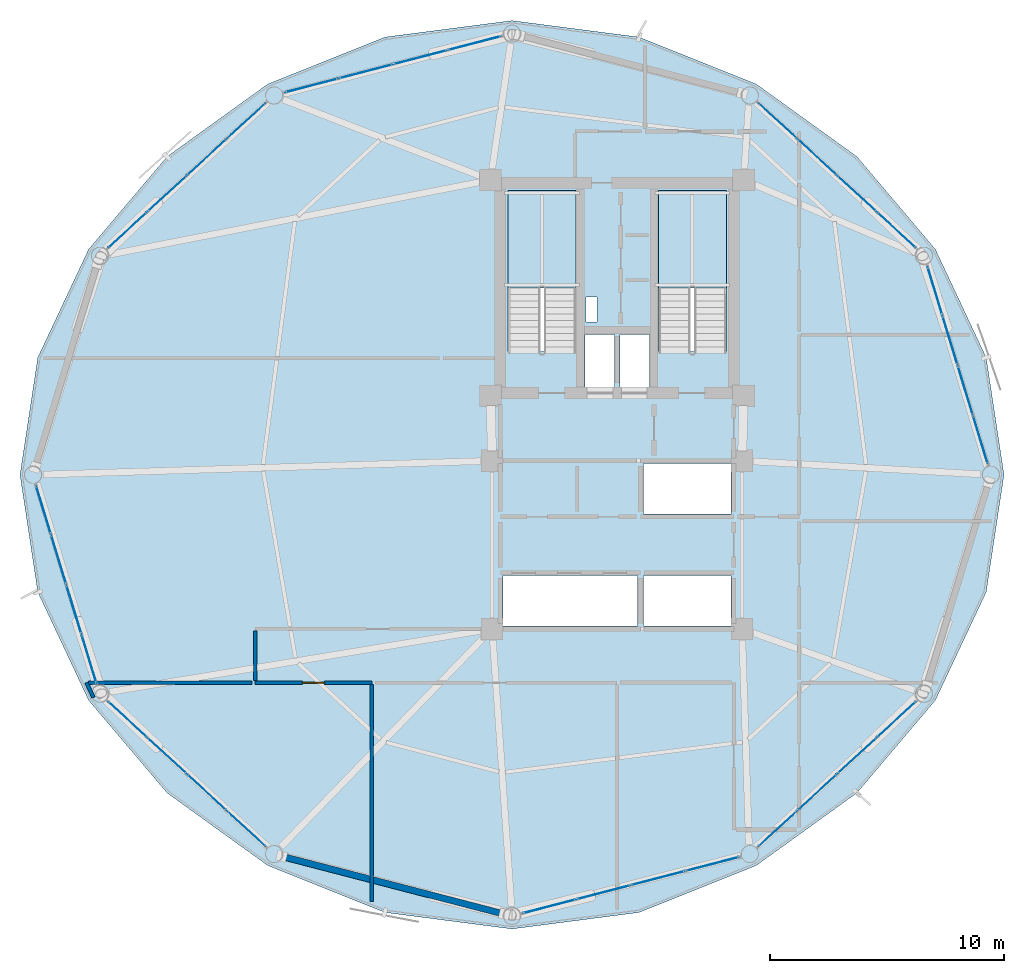
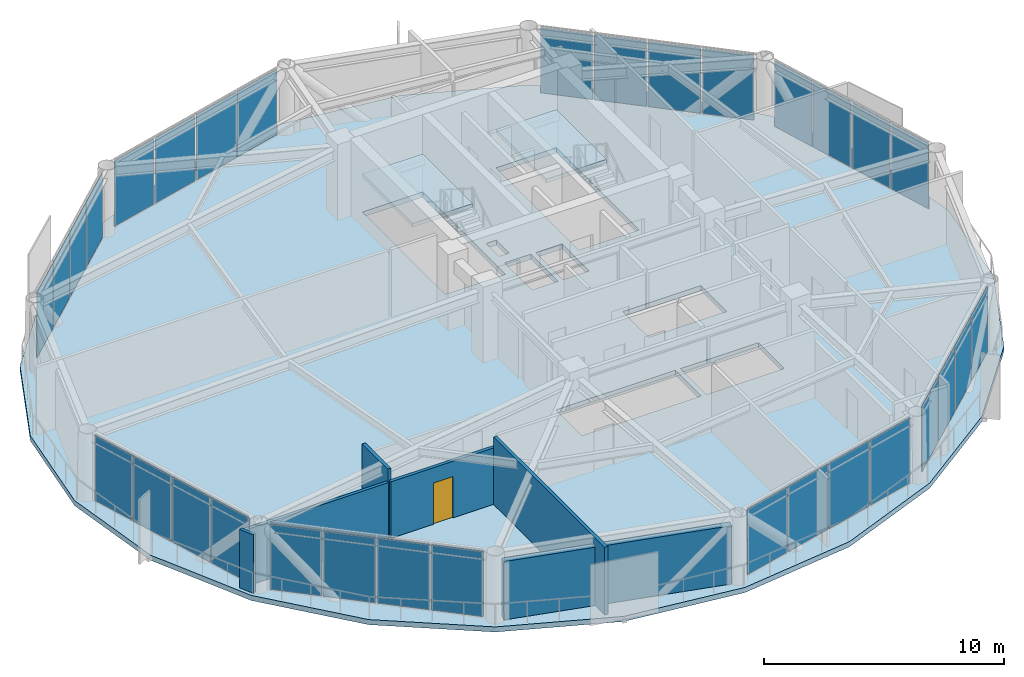
# One storey, part 20 of 26: 32 plates, 6 walls, 3 slabs, 1 door, 1 opening, 10 elements without a shape of their own.
"""IFC4 building model written with IfcOpenShell, lengths in metres."""

from ifc_helpers import new_model, si_unit, direction, frame, frame_2d, origin, origin_2d, place, context, subcontext, project, spatial, polyline, rectangle, outline, extrude, source, transform, mapped, material, layer, layer_set, type_object, type_shapes, element, fill, aggregate, save


model = new_model("IFC4")

# Units and contexts
model_context = context("Model", 3, precision=1e-05, world=origin(), true_north=direction((0.0, 1.0)))
body_context = subcontext(model_context, "Body", "Model", "MODEL_VIEW")
ifc_project = project(units=[si_unit("LENGTHUNIT", "METRE"), si_unit("AREAUNIT", "SQUARE_METRE"), si_unit("VOLUMEUNIT", "CUBIC_METRE"), si_unit("PLANEANGLEUNIT", "RADIAN"), si_unit("MASSUNIT", "GRAM", prefix="KILO")], contexts=[model_context])

# Site, building, storey
site_placement = place(None, origin())
site = spatial("IfcSite", under=ifc_project, at=site_placement, CompositionType="ELEMENT")
building_placement = place(site_placement, origin())
building = spatial("IfcBuilding", under=site, at=building_placement, Name="Varnakorn Sky Granary", CompositionType="ELEMENT")
storey_placement = place(building_placement, frame((0.0, 0.0, 165.60009765625)))
storey = spatial("IfcBuildingStorey", under=building, at=storey_placement, Name="L41", CompositionType="ELEMENT", Elevation=165.60009765625)

# Stair, slab
ifc_material_1 = material(Name="Concrete C40/50", Category="concrete")
stair_type = type_object("IfcStairType", Name="ST-MAIN-ASSEMBLY", PredefinedType="HALF_TURN_STAIR", material=ifc_material_1)
stair_1_placement = place(storey_placement, origin())
stair_1 = element("IfcStair", 1, at=stair_1_placement, inside=storey, type_object=stair_type, Name="L41 Protected Exit Stair ST-1", PredefinedType="HALF_TURN_STAIR")
ifc_layer_1 = layer(ifc_material_1, 0.199951171875, Name="Concrete C40/50")
ifc_layer_set_1 = layer_set([ifc_layer_1], Name="Concrete C40/50")
slab_type_1 = type_object("IfcSlabType", Name="ST-MAIN-LAND", PredefinedType="LANDING", material=ifc_layer_set_1)
slab_1_placement = place(storey_placement, frame((0.0, 0.0, 1.75)))
slab_1 = element("IfcSlab", 2, at=slab_1_placement, type_object=slab_type_1, Name="ST-1 landing 1", PredefinedType="LANDING", context=body_context, shape_type="SweptSolid", body=[
    extrude(outline(polyline([(1.239990234375, 8.0), (1.239990234375, 12.179931640625), (-1.669921875, 12.179931640625), (-1.669921875, 8.0), (1.239990234375, 8.0)])), origin(), (0.0, 0.0, 1.0), 0.199951171875),
])
aggregate(stair_1, [slab_1])

stair_2_placement = place(storey_placement, origin())
stair_2 = element("IfcStair", 3, at=stair_2_placement, inside=storey, type_object=stair_type, Name="L41 Protected Exit Stair ST-2", PredefinedType="HALF_TURN_STAIR")
slab_2_placement = place(storey_placement, frame((0.0, 0.0, 1.75)))
slab_2 = element("IfcSlab", 4, at=slab_2_placement, type_object=slab_type_1, Name="ST-2 landing 1", PredefinedType="LANDING", context=body_context, shape_type="SweptSolid", body=[
    extrude(outline(polyline([(7.679931640625, 8.0), (7.679931640625, 12.179931640625), (4.77001953125, 12.179931640625), (4.77001953125, 8.0), (7.679931640625, 8.0)])), origin(), (0.0, 0.0, 1.0), 0.199951171875),
])
aggregate(stair_2, [slab_2])

# Slab
ifc_material_2 = material(Name="Concrete C50/60", Category="concrete")
ifc_layer_2 = layer(ifc_material_2, 0.260009765625, Name="Concrete C50/60")
ifc_layer_set_2 = layer_set([ifc_layer_2], Name="Concrete C50/60")
slab_type_2 = type_object("IfcSlabType", Name="ST-SL-TWR-260", PredefinedType="FLOOR", material=ifc_layer_set_2)
slab_3_placement = place(storey_placement, frame((0.0, 0.0, -0.260009765625)))
element("IfcSlab", 5, at=slab_3_placement, inside=storey, type_object=slab_type_2, Name="Level L41 Structural Floor Slab", PredefinedType="FLOOR", context=body_context, shape_type="SweptSolid", body=[
    extrude(outline(polyline([(19.56689453125, 0.0), (18.8056640625, 5.02197265625), (16.627685546875, 9.656494140625), (13.269287109375, 13.62451171875), (8.966064453125, 16.7255859375), (3.94091796875, 18.741943359375), (-1.5, 19.447998046875), (-6.94091796875, 18.741943359375), (-11.966064453125, 16.7255859375), (-16.269287109375, 13.62451171875), (-19.627685546875, 9.656494140625), (-21.8056640625, 5.02197265625), (-22.56689453125, 0.0), (-21.8056640625, -5.02197265625), (-19.627685546875, -9.656494140625), (-16.269287109375, -13.62451171875), (-11.966064453125, -16.7255859375), (-6.94091796875, -18.741943359375), (-1.5, -19.447998046875), (3.94091796875, -18.741943359375), (8.966064453125, -16.7255859375), (13.269287109375, -13.62451171875), (16.627685546875, -9.656494140625), (18.8056640625, -5.02197265625), (19.56689453125, 0.0)]), holes=[polyline([(1.239990234375, 5.27490234375), (1.239990234375, 12.179931640625), (-1.669921875, 12.179931640625), (-1.669921875, 5.27490234375), (1.239990234375, 5.27490234375)]), polyline([(7.679931640625, 5.27490234375), (7.679931640625, 12.179931640625), (4.77001953125, 12.179931640625), (4.77001953125, 5.27490234375), (7.679931640625, 5.27490234375)]), polyline([(1.659912109375, 6.550048828125), (2.14990234375, 6.550048828125), (2.14990234375, 7.6201171875), (1.659912109375, 7.6201171875), (1.659912109375, 6.550048828125)]), polyline([(1.6201171875, 3.739990234375), (2.8798828125, 3.739990234375), (2.8798828125, 6.010009765625), (1.6201171875, 6.010009765625), (1.6201171875, 3.739990234375)]), polyline([(3.1201171875, 3.739990234375), (4.3798828125, 3.739990234375), (4.3798828125, 6.010009765625), (3.1201171875, 6.010009765625), (3.1201171875, 3.739990234375)]), polyline([(4.1201171875, -1.679931640625), (7.8798828125, -1.679931640625), (7.8798828125, 0.47998046875), (4.1201171875, 0.47998046875), (4.1201171875, -1.679931640625)]), polyline([(-1.8798828125, -6.47998046875), (3.8798828125, -6.47998046875), (3.8798828125, -4.320068359375), (-1.8798828125, -4.320068359375), (-1.8798828125, -6.47998046875)]), polyline([(4.1201171875, -6.47998046875), (7.8798828125, -6.47998046875), (7.8798828125, -4.320068359375), (4.1201171875, -4.320068359375), (4.1201171875, -6.47998046875)])]), origin(), (0.0, 0.0, 1.0), 0.260009765625),
])

# Curtain wall, plates
ifc_material_3 = material(Name="Anodised Bronze Aluminium Alloy 6063-T6", Category="aluminium")
ifc_layer_3 = layer(ifc_material_3, 0.179931640625, Name="Anodised Bronze Aluminium Alloy 6063-T6")
ifc_layer_set_3 = layer_set([ifc_layer_3], Name="Anodised Bronze Aluminium Alloy 6063-T6")
curtain_wall_type = type_object("IfcCurtainWallType", Name="CW-FRM-2", PredefinedType="USERDEFINED", material=ifc_layer_set_3)
curtain_wall_1_placement = place(storey_placement, origin())
curtain_wall_1 = element("IfcCurtainWall", 6, at=curtain_wall_1_placement, inside=storey, type_object=curtain_wall_type, Name="Unitised Curtain Wall CW4 CW-L41-B01", ObjectType="CURTAIN WALL", PredefinedType="USERDEFINED")
ifc_material_4 = material(Name="Opaque Insulated Aluminium Shadow-Box Unit", Category="aluminium")
ifc_layer_4 = layer(ifc_material_4, 0.02587890625, Name="Opaque Insulated Aluminium Shadow-Box Unit")
ifc_layer_set_4 = layer_set([ifc_layer_4], Name="Opaque Insulated Aluminium Shadow-Box Unit")
plate_type = type_object("IfcPlateType", Name="CW-FRM-2-PNL", PredefinedType="CURTAIN_PANEL")
shared_shape_1 = source(origin(), body_context, "Body", "SweptSolid", [
    extrude(rectangle(XDim=2.126953125, YDim=0.02587890625, at=origin_2d()), origin(), (0.0, 0.0, 1.0), 3.320068359375),
])
plate_1_placement = place(storey_placement, frame((16.611328125, 7.875732421875, 0.06494140625), z_axis=(0.0, 0.0, 1.0), x_axis=(0.292146535238, -0.956373568198, 0.0)))
plate_1 = element("IfcPlate", 7, at=plate_1_placement, type_object=plate_type, material=ifc_layer_set_4, Name="CW4 opaque insulated shadow-box unit 1.1", PredefinedType="CURTAIN_PANEL", context=body_context, shape_type="MappedRepresentation", body=[
    mapped(shared_shape_1, transform((0.0, 0.0, 0.0), x_axis=(1.0, 0.0, 0.0), y_axis=(0.0, 1.0, 0.0), z_axis=(0.0, 0.0, 1.0), scale=1.0)),
])
ifc_material_5 = material(Name="Low-E Tinted Laminated Glass", Category="glass")
ifc_layer_5 = layer(ifc_material_5, 0.02587890625, Name="Low-E Tinted Laminated Glass")
ifc_layer_set_5 = layer_set([ifc_layer_5], Name="Low-E Tinted Laminated Glass")
plate_2_placement = place(storey_placement, frame((18.55712890625, 1.505859375, 0.06494140625), z_axis=(0.0, 0.0, 1.0), x_axis=(0.292146535238, -0.956373568198, 0.0)))
plate_2 = element("IfcPlate", 8, at=plate_2_placement, type_object=plate_type, material=ifc_layer_set_5, Name="CW4 vision glazing unit 4.1", PredefinedType="CURTAIN_PANEL", context=body_context, shape_type="MappedRepresentation", body=[
    mapped(shared_shape_1, transform((0.0, 0.0, 0.0), x_axis=(1.0, 0.0, 0.0), y_axis=(0.0, 1.0, 0.0), z_axis=(0.0, 0.0, 1.0), scale=1.0)),
])

curtain_wall_2_placement = place(storey_placement, origin())
curtain_wall_2 = element("IfcCurtainWall", 9, at=curtain_wall_2_placement, inside=storey, type_object=curtain_wall_type, Name="Unitised Curtain Wall CW4 CW-L41-B07", ObjectType="CURTAIN WALL", PredefinedType="USERDEFINED")
plate_3_placement = place(storey_placement, frame((-19.611328125, -7.875732421875, 0.06494140625), z_axis=(0.0, 0.0, 1.0), x_axis=(-0.292146535238, 0.956373568198, 0.0)))
plate_3 = element("IfcPlate", 10, at=plate_3_placement, type_object=plate_type, material=ifc_layer_set_4, Name="CW4 opaque insulated shadow-box unit 1.1", PredefinedType="CURTAIN_PANEL", context=body_context, shape_type="MappedRepresentation", body=[
    mapped(shared_shape_1, transform((0.0, 0.0, 0.0), x_axis=(1.0, 0.0, 0.0), y_axis=(0.0, 1.0, 0.0), z_axis=(0.0, 0.0, 1.0), scale=1.0)),
])
plate_4_placement = place(storey_placement, frame((-21.55712890625, -1.505859375, 0.06494140625), z_axis=(0.0, 0.0, 1.0), x_axis=(-0.292146535238, 0.956373568198, 0.0)))
plate_4 = element("IfcPlate", 11, at=plate_4_placement, type_object=plate_type, material=ifc_layer_set_5, Name="CW4 vision glazing unit 4.1", PredefinedType="CURTAIN_PANEL", context=body_context, shape_type="MappedRepresentation", body=[
    mapped(shared_shape_1, transform((0.0, 0.0, 0.0), x_axis=(1.0, 0.0, 0.0), y_axis=(0.0, 1.0, 0.0), z_axis=(0.0, 0.0, 1.0), scale=1.0)),
])

# Plate
shared_shape_2 = source(origin(), body_context, "Body", "SweptSolid", [
    extrude(rectangle(XDim=2.161865234375, YDim=0.02587890625, at=origin_2d()), origin(), (0.0, 0.0, 1.0), 3.320068359375),
])
plate_5_placement = place(storey_placement, frame((17.258056640625, 5.758056640625, 0.06494140625), z_axis=(0.0, 0.0, 1.0), x_axis=(0.292146535238, -0.956373568198, 0.0)))
plate_5 = element("IfcPlate", 12, at=plate_5_placement, type_object=plate_type, material=ifc_layer_set_4, Name="CW4 opaque insulated shadow-box unit 2.1", PredefinedType="CURTAIN_PANEL", context=body_context, shape_type="MappedRepresentation", body=[
    mapped(shared_shape_2, transform((0.0, 0.0, 0.0), x_axis=(1.0, 0.0, 0.0), y_axis=(0.0, 1.0, 0.0), z_axis=(0.0, 0.0, 1.0), scale=1.0)),
])

plate_6_placement = place(storey_placement, frame((17.91015625, 3.62353515625, 0.06494140625), z_axis=(0.0, 0.0, 1.0), x_axis=(0.292146535238, -0.956373568198, 0.0)))
plate_6 = element("IfcPlate", 13, at=plate_6_placement, type_object=plate_type, material=ifc_layer_set_5, Name="CW4 vision glazing unit 3.1", PredefinedType="CURTAIN_PANEL", context=body_context, shape_type="MappedRepresentation", body=[
    mapped(shared_shape_2, transform((0.0, 0.0, 0.0), x_axis=(1.0, 0.0, 0.0), y_axis=(0.0, 1.0, 0.0), z_axis=(0.0, 0.0, 1.0), scale=1.0)),
])

aggregate(curtain_wall_1, [plate_1, plate_5, plate_6, plate_2])

plate_7_placement = place(storey_placement, frame((-20.258056640625, -5.758056640625, 0.06494140625), z_axis=(0.0, 0.0, 1.0), x_axis=(-0.292146535238, 0.956373568198, 0.0)))
plate_7 = element("IfcPlate", 14, at=plate_7_placement, type_object=plate_type, material=ifc_layer_set_4, Name="CW4 opaque insulated shadow-box unit 2.1", PredefinedType="CURTAIN_PANEL", context=body_context, shape_type="MappedRepresentation", body=[
    mapped(shared_shape_2, transform((0.0, 0.0, 0.0), x_axis=(1.0, 0.0, 0.0), y_axis=(0.0, 1.0, 0.0), z_axis=(0.0, 0.0, 1.0), scale=1.0)),
])

plate_8_placement = place(storey_placement, frame((-20.91015625, -3.62353515625, 0.06494140625), z_axis=(0.0, 0.0, 1.0), x_axis=(-0.292146535238, 0.956373568198, 0.0)))
plate_8 = element("IfcPlate", 15, at=plate_8_placement, type_object=plate_type, material=ifc_layer_set_5, Name="CW4 vision glazing unit 3.1", PredefinedType="CURTAIN_PANEL", context=body_context, shape_type="MappedRepresentation", body=[
    mapped(shared_shape_2, transform((0.0, 0.0, 0.0), x_axis=(1.0, 0.0, 0.0), y_axis=(0.0, 1.0, 0.0), z_axis=(0.0, 0.0, 1.0), scale=1.0)),
])

aggregate(curtain_wall_2, [plate_3, plate_7, plate_8, plate_4])

# Curtain wall, plates
curtain_wall_3_placement = place(storey_placement, origin())
curtain_wall_3 = element("IfcCurtainWall", 16, at=curtain_wall_3_placement, inside=storey, type_object=curtain_wall_type, Name="Unitised Curtain Wall CW4 CW-L41-B02", ObjectType="CURTAIN WALL", PredefinedType="USERDEFINED")
shared_shape_3 = source(origin(), body_context, "Body", "SweptSolid", [
    extrude(rectangle(XDim=2.20947265625, YDim=0.02587890625, at=origin_2d()), origin(), (0.0, 0.0, 1.0), 3.320068359375),
])
plate_9_placement = place(storey_placement, frame((9.8798828125, 15.15478515625, 0.06494140625), z_axis=(0.0, 0.0, 1.0), x_axis=(0.735720862359, -0.677284882962, 0.0)))
plate_9 = element("IfcPlate", 17, at=plate_9_placement, type_object=plate_type, material=ifc_layer_set_5, Name="CW4 vision glazing unit 1.1", PredefinedType="CURTAIN_PANEL", context=body_context, shape_type="MappedRepresentation", body=[
    mapped(shared_shape_3, transform((0.0, 0.0, 0.0), x_axis=(1.0, 0.0, 0.0), y_axis=(0.0, 1.0, 0.0), z_axis=(0.0, 0.0, 1.0), scale=1.0)),
])
plate_10_placement = place(storey_placement, frame((14.96240234375, 10.475830078125, 0.06494140625), z_axis=(0.0, 0.0, 1.0), x_axis=(0.735720862359, -0.677284882962, 0.0)))
plate_10 = element("IfcPlate", 18, at=plate_10_placement, type_object=plate_type, material=ifc_layer_set_4, Name="CW4 opaque insulated shadow-box unit 4.1", PredefinedType="CURTAIN_PANEL", context=body_context, shape_type="MappedRepresentation", body=[
    mapped(shared_shape_3, transform((0.0, 0.0, 0.0), x_axis=(1.0, 0.0, 0.0), y_axis=(0.0, 1.0, 0.0), z_axis=(0.0, 0.0, 1.0), scale=1.0)),
])

curtain_wall_4_placement = place(storey_placement, origin())
curtain_wall_4 = element("IfcCurtainWall", 19, at=curtain_wall_4_placement, inside=storey, type_object=curtain_wall_type, Name="Unitised Curtain Wall CW4 CW-L41-B05", ObjectType="CURTAIN WALL", PredefinedType="USERDEFINED")
plate_11_placement = place(storey_placement, frame((-17.96240234375, 10.475830078125, 0.06494140625), z_axis=(0.0, 0.0, 1.0), x_axis=(0.735720862359, 0.677284882962, 0.0)))
plate_11 = element("IfcPlate", 20, at=plate_11_placement, type_object=plate_type, material=ifc_layer_set_4, Name="CW4 opaque insulated shadow-box unit 1.1", PredefinedType="CURTAIN_PANEL", context=body_context, shape_type="MappedRepresentation", body=[
    mapped(shared_shape_3, transform((0.0, 0.0, 0.0), x_axis=(1.0, 0.0, 0.0), y_axis=(0.0, 1.0, 0.0), z_axis=(0.0, 0.0, 1.0), scale=1.0)),
])
plate_12_placement = place(storey_placement, frame((-12.8798828125, 15.15478515625, 0.06494140625), z_axis=(0.0, 0.0, 1.0), x_axis=(0.735720862359, 0.677284882962, 0.0)))
plate_12 = element("IfcPlate", 21, at=plate_12_placement, type_object=plate_type, material=ifc_layer_set_5, Name="CW4 vision glazing unit 4.1", PredefinedType="CURTAIN_PANEL", context=body_context, shape_type="MappedRepresentation", body=[
    mapped(shared_shape_3, transform((0.0, 0.0, 0.0), x_axis=(1.0, 0.0, 0.0), y_axis=(0.0, 1.0, 0.0), z_axis=(0.0, 0.0, 1.0), scale=1.0)),
])

curtain_wall_5_placement = place(storey_placement, origin())
curtain_wall_5 = element("IfcCurtainWall", 22, at=curtain_wall_5_placement, inside=storey, type_object=curtain_wall_type, Name="Unitised Curtain Wall CW4 CW-L41-B08", ObjectType="CURTAIN WALL", PredefinedType="USERDEFINED")
plate_13_placement = place(storey_placement, frame((-12.8798828125, -15.15478515625, 0.06494140625), z_axis=(0.0, 0.0, 1.0), x_axis=(-0.735720862359, 0.677284882962, 0.0)))
plate_13 = element("IfcPlate", 23, at=plate_13_placement, type_object=plate_type, material=ifc_layer_set_5, Name="CW4 vision glazing unit 1.1", PredefinedType="CURTAIN_PANEL", context=body_context, shape_type="MappedRepresentation", body=[
    mapped(shared_shape_3, transform((0.0, 0.0, 0.0), x_axis=(1.0, 0.0, 0.0), y_axis=(0.0, 1.0, 0.0), z_axis=(0.0, 0.0, 1.0), scale=1.0)),
])
plate_14_placement = place(storey_placement, frame((-17.96240234375, -10.475830078125, 0.06494140625), z_axis=(0.0, 0.0, 1.0), x_axis=(-0.735720862359, 0.677284882962, 0.0)))
plate_14 = element("IfcPlate", 24, at=plate_14_placement, type_object=plate_type, material=ifc_layer_set_4, Name="CW4 opaque insulated shadow-box unit 4.1", PredefinedType="CURTAIN_PANEL", context=body_context, shape_type="MappedRepresentation", body=[
    mapped(shared_shape_3, transform((0.0, 0.0, 0.0), x_axis=(1.0, 0.0, 0.0), y_axis=(0.0, 1.0, 0.0), z_axis=(0.0, 0.0, 1.0), scale=1.0)),
])

curtain_wall_6_placement = place(storey_placement, origin())
curtain_wall_6 = element("IfcCurtainWall", 25, at=curtain_wall_6_placement, inside=storey, type_object=curtain_wall_type, Name="Unitised Curtain Wall CW4 CW-L41-B11", ObjectType="CURTAIN WALL", PredefinedType="USERDEFINED")
plate_15_placement = place(storey_placement, frame((14.96240234375, -10.475830078125, 0.06494140625), z_axis=(0.0, 0.0, 1.0), x_axis=(-0.735720862359, -0.677284882962, 0.0)))
plate_15 = element("IfcPlate", 26, at=plate_15_placement, type_object=plate_type, material=ifc_layer_set_4, Name="CW4 opaque insulated shadow-box unit 1.1", PredefinedType="CURTAIN_PANEL", context=body_context, shape_type="MappedRepresentation", body=[
    mapped(shared_shape_3, transform((0.0, 0.0, 0.0), x_axis=(1.0, 0.0, 0.0), y_axis=(0.0, 1.0, 0.0), z_axis=(0.0, 0.0, 1.0), scale=1.0)),
])
plate_16_placement = place(storey_placement, frame((9.8798828125, -15.15478515625, 0.06494140625), z_axis=(0.0, 0.0, 1.0), x_axis=(-0.735720862359, -0.677284882962, 0.0)))
plate_16 = element("IfcPlate", 27, at=plate_16_placement, type_object=plate_type, material=ifc_layer_set_5, Name="CW4 vision glazing unit 4.1", PredefinedType="CURTAIN_PANEL", context=body_context, shape_type="MappedRepresentation", body=[
    mapped(shared_shape_3, transform((0.0, 0.0, 0.0), x_axis=(1.0, 0.0, 0.0), y_axis=(0.0, 1.0, 0.0), z_axis=(0.0, 0.0, 1.0), scale=1.0)),
])

# Plate
shared_shape_4 = source(origin(), body_context, "Body", "SweptSolid", [
    extrude(rectangle(XDim=2.244384765625, YDim=0.02587890625, at=origin_2d()), origin(), (0.0, 0.0, 1.0), 3.320068359375),
])
plate_17_placement = place(storey_placement, frame((11.56982421875, 13.59912109375, 0.06494140625), z_axis=(0.0, 0.0, 1.0), x_axis=(0.735720862359, -0.677284882962, 0.0)))
plate_17 = element("IfcPlate", 28, at=plate_17_placement, type_object=plate_type, material=ifc_layer_set_5, Name="CW4 vision glazing unit 2.1", PredefinedType="CURTAIN_PANEL", context=body_context, shape_type="MappedRepresentation", body=[
    mapped(shared_shape_4, transform((0.0, 0.0, 0.0), x_axis=(1.0, 0.0, 0.0), y_axis=(0.0, 1.0, 0.0), z_axis=(0.0, 0.0, 1.0), scale=1.0)),
])

plate_18_placement = place(storey_placement, frame((13.2724609375, 12.031494140625, 0.06494140625), z_axis=(0.0, 0.0, 1.0), x_axis=(0.735720862359, -0.677284882962, 0.0)))
plate_18 = element("IfcPlate", 29, at=plate_18_placement, type_object=plate_type, material=ifc_layer_set_4, Name="CW4 opaque insulated shadow-box unit 3.1", PredefinedType="CURTAIN_PANEL", context=body_context, shape_type="MappedRepresentation", body=[
    mapped(shared_shape_4, transform((0.0, 0.0, 0.0), x_axis=(1.0, 0.0, 0.0), y_axis=(0.0, 1.0, 0.0), z_axis=(0.0, 0.0, 1.0), scale=1.0)),
])

aggregate(curtain_wall_3, [plate_9, plate_17, plate_18, plate_10])

plate_19_placement = place(storey_placement, frame((-16.2724609375, 12.031494140625, 0.06494140625), z_axis=(0.0, 0.0, 1.0), x_axis=(0.735720862359, 0.677284882962, 0.0)))
plate_19 = element("IfcPlate", 30, at=plate_19_placement, type_object=plate_type, material=ifc_layer_set_4, Name="CW4 opaque insulated shadow-box unit 2.1", PredefinedType="CURTAIN_PANEL", context=body_context, shape_type="MappedRepresentation", body=[
    mapped(shared_shape_4, transform((0.0, 0.0, 0.0), x_axis=(1.0, 0.0, 0.0), y_axis=(0.0, 1.0, 0.0), z_axis=(0.0, 0.0, 1.0), scale=1.0)),
])

plate_20_placement = place(storey_placement, frame((-14.56982421875, 13.59912109375, 0.06494140625), z_axis=(0.0, 0.0, 1.0), x_axis=(0.735720862359, 0.677284882962, 0.0)))
plate_20 = element("IfcPlate", 31, at=plate_20_placement, type_object=plate_type, material=ifc_layer_set_5, Name="CW4 vision glazing unit 3.1", PredefinedType="CURTAIN_PANEL", context=body_context, shape_type="MappedRepresentation", body=[
    mapped(shared_shape_4, transform((0.0, 0.0, 0.0), x_axis=(1.0, 0.0, 0.0), y_axis=(0.0, 1.0, 0.0), z_axis=(0.0, 0.0, 1.0), scale=1.0)),
])

aggregate(curtain_wall_4, [plate_11, plate_19, plate_20, plate_12])

plate_21_placement = place(storey_placement, frame((-14.56982421875, -13.59912109375, 0.06494140625), z_axis=(0.0, 0.0, 1.0), x_axis=(-0.735720862359, 0.677284882962, 0.0)))
plate_21 = element("IfcPlate", 32, at=plate_21_placement, type_object=plate_type, material=ifc_layer_set_5, Name="CW4 vision glazing unit 2.1", PredefinedType="CURTAIN_PANEL", context=body_context, shape_type="MappedRepresentation", body=[
    mapped(shared_shape_4, transform((0.0, 0.0, 0.0), x_axis=(1.0, 0.0, 0.0), y_axis=(0.0, 1.0, 0.0), z_axis=(0.0, 0.0, 1.0), scale=1.0)),
])

plate_22_placement = place(storey_placement, frame((-16.2724609375, -12.031494140625, 0.06494140625), z_axis=(0.0, 0.0, 1.0), x_axis=(-0.735720862359, 0.677284882962, 0.0)))
plate_22 = element("IfcPlate", 33, at=plate_22_placement, type_object=plate_type, material=ifc_layer_set_4, Name="CW4 opaque insulated shadow-box unit 3.1", PredefinedType="CURTAIN_PANEL", context=body_context, shape_type="MappedRepresentation", body=[
    mapped(shared_shape_4, transform((0.0, 0.0, 0.0), x_axis=(1.0, 0.0, 0.0), y_axis=(0.0, 1.0, 0.0), z_axis=(0.0, 0.0, 1.0), scale=1.0)),
])

aggregate(curtain_wall_5, [plate_13, plate_21, plate_22, plate_14])

plate_23_placement = place(storey_placement, frame((13.2724609375, -12.031494140625, 0.06494140625), z_axis=(0.0, 0.0, 1.0), x_axis=(-0.735720862359, -0.677284882962, 0.0)))
plate_23 = element("IfcPlate", 34, at=plate_23_placement, type_object=plate_type, material=ifc_layer_set_4, Name="CW4 opaque insulated shadow-box unit 2.1", PredefinedType="CURTAIN_PANEL", context=body_context, shape_type="MappedRepresentation", body=[
    mapped(shared_shape_4, transform((0.0, 0.0, 0.0), x_axis=(1.0, 0.0, 0.0), y_axis=(0.0, 1.0, 0.0), z_axis=(0.0, 0.0, 1.0), scale=1.0)),
])

plate_24_placement = place(storey_placement, frame((11.56982421875, -13.59912109375, 0.06494140625), z_axis=(0.0, 0.0, 1.0), x_axis=(-0.735720862359, -0.677284882962, 0.0)))
plate_24 = element("IfcPlate", 35, at=plate_24_placement, type_object=plate_type, material=ifc_layer_set_5, Name="CW4 vision glazing unit 3.1", PredefinedType="CURTAIN_PANEL", context=body_context, shape_type="MappedRepresentation", body=[
    mapped(shared_shape_4, transform((0.0, 0.0, 0.0), x_axis=(1.0, 0.0, 0.0), y_axis=(0.0, 1.0, 0.0), z_axis=(0.0, 0.0, 1.0), scale=1.0)),
])

aggregate(curtain_wall_6, [plate_15, plate_23, plate_24, plate_16])

# Curtain wall, plates
curtain_wall_7_placement = place(storey_placement, origin())
curtain_wall_7 = element("IfcCurtainWall", 36, at=curtain_wall_7_placement, inside=storey, type_object=curtain_wall_type, Name="Unitised Curtain Wall CW4 CW-L41-B04", ObjectType="CURTAIN WALL", PredefinedType="USERDEFINED")
shared_shape_5 = source(origin(), body_context, "Body", "SweptSolid", [
    extrude(rectangle(XDim=2.306884765625, YDim=0.02587890625, at=origin_2d()), origin(), (0.0, 0.0, 1.0), 3.320068359375),
])
plate_25_placement = place(storey_placement, frame((-10.080078125, 16.66796875, 0.06494140625), z_axis=(0.0, 0.0, 1.0), x_axis=(0.967840780242, 0.251563558768, 0.0)))
plate_25 = element("IfcPlate", 37, at=plate_25_placement, type_object=plate_type, material=ifc_layer_set_5, Name="CW4 vision glazing unit 1.1", PredefinedType="CURTAIN_PANEL", context=body_context, shape_type="MappedRepresentation", body=[
    mapped(shared_shape_5, transform((0.0, 0.0, 0.0), x_axis=(1.0, 0.0, 0.0), y_axis=(0.0, 1.0, 0.0), z_axis=(0.0, 0.0, 1.0), scale=1.0)),
])
plate_26_placement = place(storey_placement, frame((-3.11083984375, 18.479248046875, 0.06494140625), z_axis=(0.0, 0.0, 1.0), x_axis=(0.967840780242, 0.251563558768, 0.0)))
plate_26 = element("IfcPlate", 38, at=plate_26_placement, type_object=plate_type, material=ifc_layer_set_4, Name="CW4 opaque insulated shadow-box unit 4.1", PredefinedType="CURTAIN_PANEL", context=body_context, shape_type="MappedRepresentation", body=[
    mapped(shared_shape_5, transform((0.0, 0.0, 0.0), x_axis=(1.0, 0.0, 0.0), y_axis=(0.0, 1.0, 0.0), z_axis=(0.0, 0.0, 1.0), scale=1.0)),
])

curtain_wall_8_placement = place(storey_placement, origin())
curtain_wall_8 = element("IfcCurtainWall", 39, at=curtain_wall_8_placement, inside=storey, type_object=curtain_wall_type, Name="Unitised Curtain Wall CW4 CW-L41-B10", ObjectType="CURTAIN WALL", PredefinedType="USERDEFINED")
plate_27_placement = place(storey_placement, frame((7.080078125, -16.66796875, 0.06494140625), z_axis=(0.0, 0.0, 1.0), x_axis=(-0.967840780242, -0.251563558768, 0.0)))
plate_27 = element("IfcPlate", 40, at=plate_27_placement, type_object=plate_type, material=ifc_layer_set_5, Name="CW4 vision glazing unit 1.1", PredefinedType="CURTAIN_PANEL", context=body_context, shape_type="MappedRepresentation", body=[
    mapped(shared_shape_5, transform((0.0, 0.0, 0.0), x_axis=(1.0, 0.0, 0.0), y_axis=(0.0, 1.0, 0.0), z_axis=(0.0, 0.0, 1.0), scale=1.0)),
])
plate_28_placement = place(storey_placement, frame((0.11083984375, -18.479248046875, 0.06494140625), z_axis=(0.0, 0.0, 1.0), x_axis=(-0.967840780242, -0.251563558768, 0.0)))
plate_28 = element("IfcPlate", 41, at=plate_28_placement, type_object=plate_type, material=ifc_layer_set_4, Name="CW4 opaque insulated shadow-box unit 4.1", PredefinedType="CURTAIN_PANEL", context=body_context, shape_type="MappedRepresentation", body=[
    mapped(shared_shape_5, transform((0.0, 0.0, 0.0), x_axis=(1.0, 0.0, 0.0), y_axis=(0.0, 1.0, 0.0), z_axis=(0.0, 0.0, 1.0), scale=1.0)),
])

# Plate
shared_shape_6 = source(origin(), body_context, "Body", "SweptSolid", [
    extrude(rectangle(XDim=2.341796875, YDim=0.02587890625, at=origin_2d()), origin(), (0.0, 0.0, 1.0), 3.320068359375),
])
type_shapes(plate_type, [shared_shape_1, shared_shape_2, shared_shape_3, shared_shape_4, shared_shape_5, shared_shape_6])
plate_29_placement = place(storey_placement, frame((-7.7626953125, 17.270263671875, 0.06494140625), z_axis=(0.0, 0.0, 1.0), x_axis=(0.967840780242, 0.251563558768, 0.0)))
plate_29 = element("IfcPlate", 42, at=plate_29_placement, type_object=plate_type, material=ifc_layer_set_5, Name="CW4 vision glazing unit 2.1", PredefinedType="CURTAIN_PANEL", context=body_context, shape_type="MappedRepresentation", body=[
    mapped(shared_shape_6, transform((0.0, 0.0, 0.0), x_axis=(1.0, 0.0, 0.0), y_axis=(0.0, 1.0, 0.0), z_axis=(0.0, 0.0, 1.0), scale=1.0)),
])

plate_30_placement = place(storey_placement, frame((-5.42822265625, 17.876953125, 0.06494140625), z_axis=(0.0, 0.0, 1.0), x_axis=(0.967840780242, 0.251563558768, 0.0)))
plate_30 = element("IfcPlate", 43, at=plate_30_placement, type_object=plate_type, material=ifc_layer_set_4, Name="CW4 opaque insulated shadow-box unit 3.1", PredefinedType="CURTAIN_PANEL", context=body_context, shape_type="MappedRepresentation", body=[
    mapped(shared_shape_6, transform((0.0, 0.0, 0.0), x_axis=(1.0, 0.0, 0.0), y_axis=(0.0, 1.0, 0.0), z_axis=(0.0, 0.0, 1.0), scale=1.0)),
])

aggregate(curtain_wall_7, [plate_25, plate_29, plate_30, plate_26])

plate_31_placement = place(storey_placement, frame((4.7626953125, -17.270263671875, 0.06494140625), z_axis=(0.0, 0.0, 1.0), x_axis=(-0.967840780242, -0.251563558768, 0.0)))
plate_31 = element("IfcPlate", 44, at=plate_31_placement, type_object=plate_type, material=ifc_layer_set_5, Name="CW4 vision glazing unit 2.1", PredefinedType="CURTAIN_PANEL", context=body_context, shape_type="MappedRepresentation", body=[
    mapped(shared_shape_6, transform((0.0, 0.0, 0.0), x_axis=(1.0, 0.0, 0.0), y_axis=(0.0, 1.0, 0.0), z_axis=(0.0, 0.0, 1.0), scale=1.0)),
])

plate_32_placement = place(storey_placement, frame((2.42822265625, -17.876953125, 0.06494140625), z_axis=(0.0, 0.0, 1.0), x_axis=(-0.967840780242, -0.251563558768, 0.0)))
plate_32 = element("IfcPlate", 45, at=plate_32_placement, type_object=plate_type, material=ifc_layer_set_4, Name="CW4 opaque insulated shadow-box unit 3.1", PredefinedType="CURTAIN_PANEL", context=body_context, shape_type="MappedRepresentation", body=[
    mapped(shared_shape_6, transform((0.0, 0.0, 0.0), x_axis=(1.0, 0.0, 0.0), y_axis=(0.0, 1.0, 0.0), z_axis=(0.0, 0.0, 1.0), scale=1.0)),
])

aggregate(curtain_wall_8, [plate_27, plate_31, plate_32, plate_28])

# Wall
ifc_material_6 = material(Name="Precast concrete C40/50", Category="concrete")
ifc_layer_6 = layer(ifc_material_6, 0.280029296875, Name="Precast concrete C40/50")
ifc_layer_set_6 = layer_set([ifc_layer_6], Name="Precast concrete C40/50")
wall_type_1 = type_object("IfcWallType", Name="WT-EW-CRN-280", PredefinedType="SOLIDWALL", material=ifc_layer_set_6)
wall_1_placement = place(storey_placement, frame((-1.8251953125, -18.8134765625, 0.0), z_axis=(0.0, 0.0, 1.0), x_axis=(-0.967842287651, 0.251557759242, 0.0)))
element("IfcWall", 46, at=wall_1_placement, inside=storey, type_object=wall_type_1, Name="Agritech Insulated Precast Facade Wall L41-P09", PredefinedType="SOLIDWALL", context=body_context, shape_type="SweptSolid", body=[
    extrude(rectangle(XDim=9.857421875, YDim=0.280029296875, at=frame_2d((4.9287109375, 0.0))), origin(), (0.0, 0.0, 1.0), 2.969970703125),
])

# Wall, opening, door
ifc_material_7 = material(Name="Gypsum Plasterboard on Steel Stud", Category="steel")
ifc_layer_7 = layer(ifc_material_7, 0.14990234375, Name="Gypsum Plasterboard on Steel Stud")
ifc_layer_set_7 = layer_set([ifc_layer_7], Name="Gypsum Plasterboard on Steel Stud")
wall_type_2 = type_object("IfcWallType", Name="WT-PART-150", PredefinedType="PARTITIONING", material=ifc_layer_set_7)
wall_2_placement = place(storey_placement, frame((-12.5, -8.89990234375, 0.0), z_axis=(0.0, 0.0, 1.0), x_axis=(1.0, 0.0, 0.0)))
wall_2 = element("IfcWall", 47, at=wall_2_placement, inside=storey, type_object=wall_type_2, Name="Interior Partition Wall L41-020", PredefinedType="PARTITIONING", context=body_context, shape_type="SweptSolid", body=[
    extrude(rectangle(XDim=5.0, YDim=0.14990234375, at=frame_2d((2.5, 0.0))), origin(), (0.0, 0.0, 1.0), 2.8818359375),
])
opening_placement = place(wall_2_placement, frame((2.02490234375, 0.0, 0.0)))
opening = element("IfcOpeningElement", 48, at=opening_placement, cuts=wall_2, Name="Opening ID-95", PredefinedType="OPENING", context=body_context, shape_type="SweptSolid", body=[
    extrude(rectangle(XDim=0.949951171875, YDim=2.10009765625, at=frame_2d((0.47509765625, 1.050048828125))), frame((0.0, 0.0849609375, 0.0), z_axis=(0.0, -1.0, 0.0), x_axis=(1.0, 0.0, 0.0)), (0.0, 0.0, 1.0), 0.169921875),
])
ifc_material_8 = material(Name="Solid-Core Teak Veneer Leaf", Category="timber")
door_type = type_object("IfcDoorType", Name="DR-INT-950", OperationType="NOTDEFINED", PredefinedType="DOOR", material=ifc_material_8)
door_placement = place(opening_placement, origin())
door = element("IfcDoor", 49, at=door_placement, inside=storey, type_object=door_type, Name="Interior Door L41-020-1", OperationType="SINGLE_SWING_LEFT", OverallHeight=2.10009765625, OverallWidth=0.949951171875, PredefinedType="DOOR", context=body_context, shape_type="SweptSolid", body=[
    extrude(rectangle(XDim=0.949951171875, YDim=2.10009765625, at=frame_2d((0.47509765625, 1.050048828125))), frame((0.0, 0.02490234375, 0.0), z_axis=(0.0, -1.0, 0.0), x_axis=(1.0, 0.0, 0.0)), (0.0, 0.0, 1.0), 0.050048828125),
])
fill(opening, door)

# Walls
wall_3_placement = place(storey_placement, frame((-7.5, -8.985107421875, 0.0), z_axis=(0.0, 0.0, 1.0), x_axis=(0.0, -1.0, 0.0)))
element("IfcWall", 50, at=wall_3_placement, inside=storey, type_object=wall_type_2, Name="Interior Partition Wall L41-037", PredefinedType="PARTITIONING", context=body_context, shape_type="SweptSolid", body=[
    extrude(rectangle(XDim=9.27587890625, YDim=0.14990234375, at=frame_2d((4.637939453125, 0.0))), origin(), (0.0, 0.0, 1.0), 3.449951171875),
])
wall_4_placement = place(storey_placement, frame((-19.419921875, -9.537109375, 0.0), z_axis=(0.0, 0.0, 1.0), x_axis=(-0.424878134875, 0.905250556755, 0.0)))
element("IfcWall", 51, at=wall_4_placement, inside=storey, type_object=wall_type_2, Name="Interior Partition Wall L41-038", PredefinedType="PARTITIONING", context=body_context, shape_type="SweptSolid", body=[
    extrude(rectangle(XDim=0.703857421875, YDim=0.14990234375, at=frame_2d((0.35205078125, 0.0))), origin(), (0.0, 0.0, 1.0), 2.98193359375),
])
wall_5_placement = place(storey_placement, frame((-19.634033203125, -8.89990234375, 0.0), z_axis=(0.0, 0.0, 1.0), x_axis=(1.0, 0.0, 0.0)))
element("IfcWall", 52, at=wall_5_placement, inside=storey, type_object=wall_type_2, Name="Interior Partition Wall L41-039", PredefinedType="PARTITIONING", context=body_context, shape_type="SweptSolid", body=[
    extrude(rectangle(XDim=6.9990234375, YDim=0.14990234375, at=frame_2d((3.49951171875, 0.0))), origin(), (0.0, 0.0, 1.0), 2.8818359375),
])
wall_6_placement = place(storey_placement, frame((-12.5, -6.68505859375, 0.0), z_axis=(0.0, 0.0, 1.0), x_axis=(0.0, -1.0, 0.0)))
element("IfcWall", 53, at=wall_6_placement, inside=storey, type_object=wall_type_2, Name="Interior Partition Wall L41-044", PredefinedType="PARTITIONING", context=body_context, shape_type="SweptSolid", body=[
    extrude(rectangle(XDim=2.1298828125, YDim=0.14990234375, at=frame_2d((1.06494140625, 0.0))), origin(), (0.0, 0.0, 1.0), 3.449951171875),
])

save(model, "model.ifc")
